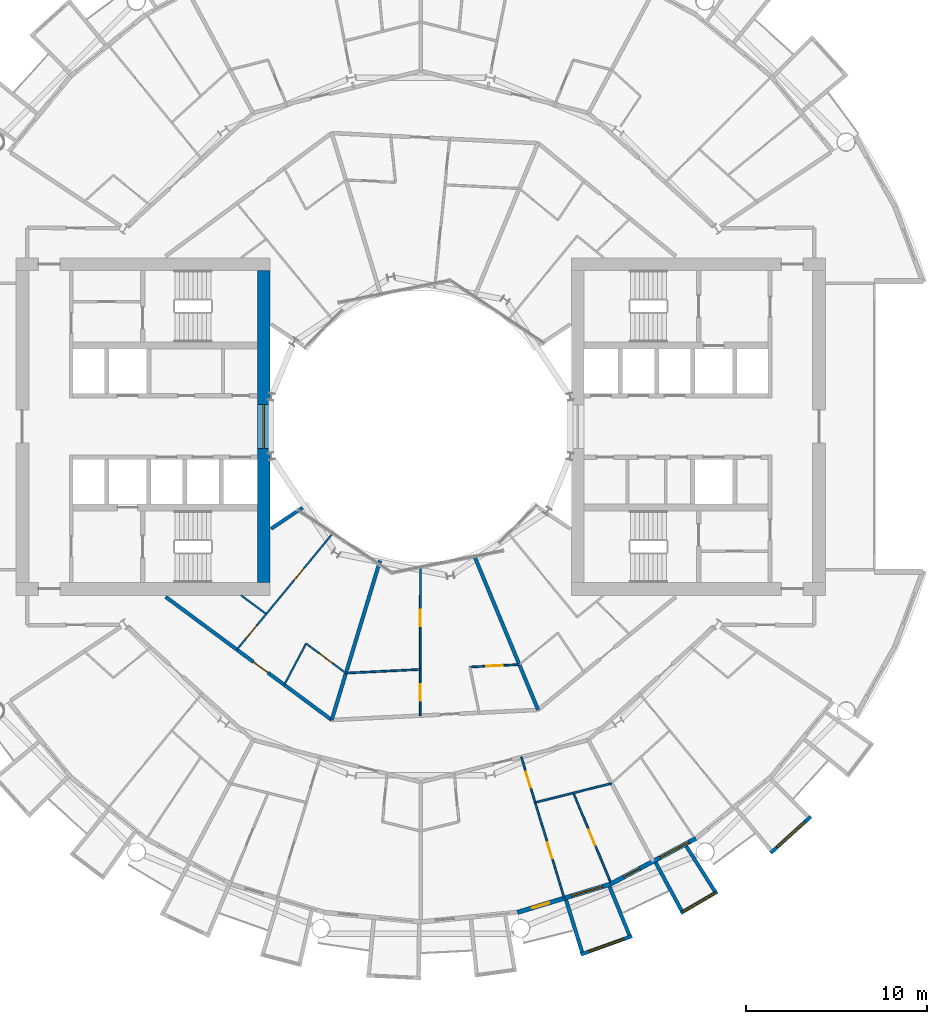
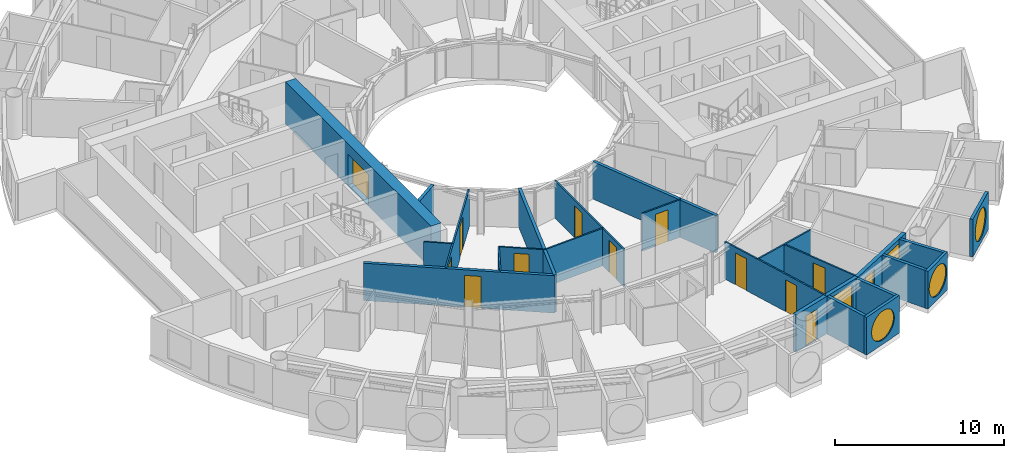
# One storey, part 15 of 26: 24 walls, 12 doors, 6 windows, 18 openings.
"""IFC4 building model written with IfcOpenShell, lengths in metres."""

from ifc_helpers import new_model, si_unit, direction, frame, frame_2d, origin, place, context, subcontext, project, spatial, rectangle, circle, extrude, material, layer, layer_set, type_object, element, fill, save


model = new_model("IFC4")

# Units and contexts
model_context = context("Model", 3, precision=1e-05, world=origin(), true_north=direction((0.0, 1.0)))
body_context = subcontext(model_context, "Body", "Model", "MODEL_VIEW")
ifc_project = project(units=[si_unit("LENGTHUNIT", "METRE"), si_unit("AREAUNIT", "SQUARE_METRE"), si_unit("VOLUMEUNIT", "CUBIC_METRE"), si_unit("PLANEANGLEUNIT", "RADIAN"), si_unit("MASSUNIT", "GRAM", prefix="KILO")], contexts=[model_context])

# Site, building, storey
site_placement = place(None, origin())
site = spatial("IfcSite", under=ifc_project, at=site_placement, CompositionType="ELEMENT")
building_placement = place(site_placement, origin())
building = spatial("IfcBuilding", under=site, at=building_placement, Name="Maasbend Ring Residences", CompositionType="ELEMENT")
storey_placement = place(building_placement, frame((0.0, 0.0, 81.89990234375)))
storey = spatial("IfcBuildingStorey", under=building, at=storey_placement, Name="L23", CompositionType="ELEMENT", Elevation=81.89990234375)

# Wall, opening, window
ifc_material_1 = material(Name="Concrete C70/85", Category="concrete")
ifc_layer_1 = layer(ifc_material_1, 0.699951171875)
ifc_layer_set_1 = layer_set([ifc_layer_1], Name="Concrete C70/85")
wall_type_1 = type_object("IfcWallType", Name="CORE WALL 700 C70/85", PredefinedType="SHEAR", material=ifc_layer_set_1)
wall_1_placement = place(storey_placement, frame((-8.64990234375, 8.60009765625, 0.0), z_axis=(0.0, 0.0, 1.0), x_axis=(0.0, -1.0, 0.0)))
wall_1 = element("IfcWall", 1, at=wall_1_placement, inside=storey, type_object=wall_type_1, Name="L23 core W wall PIN", PredefinedType="SHEAR", context=body_context, shape_type="SweptSolid", body=[
    extrude(rectangle(XDim=17.2001953125, YDim=0.699951171875, at=frame_2d((8.60009765625, 0.0))), origin(), (0.0, 0.0, 1.0), 3.050048828125),
])
opening_1_placement = place(wall_1_placement, frame((7.39990234375, 0.0, 0.10009765625)))
opening_1 = element("IfcOpeningElement", 2, at=opening_1_placement, cuts=wall_1, Name="Opening W-W2301", PredefinedType="OPENING", context=body_context, shape_type="SweptSolid", body=[
    extrude(rectangle(XDim=2.39990234375, YDim=2.199951171875, at=frame_2d((1.199951171875, 1.10009765625))), frame((0.0, 0.35986328125, 0.0), z_axis=(0.0, -1.0, 0.0), x_axis=(1.0, 0.0, 0.0)), (0.0, 0.0, 1.0), 0.719970703125),
])
ifc_material_2 = material(Name="Aluminium frame and clear glass", Category="aluminium")
window_type_1 = type_object("IfcWindowType", Name="FIXED WINDOW 2400 X 2200", PartitioningType="SINGLE_PANEL", PredefinedType="WINDOW", material=ifc_material_2)
window_1_placement = place(opening_1_placement, origin())
window_1 = element("IfcWindow", 3, at=window_1_placement, inside=storey, type_object=window_type_1, Name="Lobby window L23", OverallHeight=2.199951171875, OverallWidth=2.39990234375, PartitioningType="SINGLE_PANEL", PredefinedType="WINDOW", context=body_context, shape_type="SweptSolid", body=[
    extrude(rectangle(XDim=2.39990234375, YDim=2.199951171875, at=frame_2d((1.199951171875, 1.10009765625))), frame((0.0, 0.030029296875, 0.0), z_axis=(0.0, -1.0, 0.0), x_axis=(1.0, 0.0, 0.0)), (0.0, 0.0, 1.0), 0.06005859375),
])
fill(opening_1, window_1)

# Wall, opening, door
ifc_material_3 = material(Name="Concrete C30/37", Category="concrete")
ifc_layer_2 = layer(ifc_material_3, 0.199951171875)
ifc_layer_set_2 = layer_set([ifc_layer_2], Name="Concrete C30/37")
wall_type_2 = type_object("IfcWallType", Name="CORRIDOR WALL 200 CONCRETE", PredefinedType="PARTITIONING", material=ifc_layer_set_2)
wall_2_placement = place(storey_placement, frame((-14.052001953125, -9.388916015625, 0.0), z_axis=(0.0, 0.0, 1.0), x_axis=(0.803204584823, -0.59570327758, 0.0)))
wall_2 = element("IfcWall", 4, at=wall_2_placement, inside=storey, type_object=wall_type_2, Name="U-L23-w016", PredefinedType="PARTITIONING", context=body_context, shape_type="SweptSolid", body=[
    extrude(rectangle(XDim=11.386962890625, YDim=0.199951171875, at=frame_2d((5.693359375, 0.0))), origin(), (0.0, 0.0, 1.0), 2.7001953125),
])
opening_2_placement = place(wall_2_placement, frame((6.007080078125, 0.0, 0.0)))
opening_2 = element("IfcOpeningElement", 5, at=opening_2_placement, cuts=wall_2, Name="Opening D-2353", PredefinedType="OPENING", context=body_context, shape_type="SweptSolid", body=[
    extrude(rectangle(XDim=1.0, YDim=2.300048828125, at=frame_2d((0.5, 1.14990234375))), frame((0.0, 0.10986328125, 0.0), z_axis=(0.0, -1.0, 0.0), x_axis=(1.0, 0.0, 0.0)), (0.0, 0.0, 1.0), 0.219970703125),
])
ifc_material_4 = material(Name="Timber, fire-rated, painted", Category="wood")
door_type_1 = type_object("IfcDoorType", Name="FLAT ENTRANCE DOOR 1000 X 2300 FIRE-RATED", OperationType="NOTDEFINED", PredefinedType="DOOR", material=ifc_material_4)
door_1_placement = place(opening_2_placement, origin())
door_1 = element("IfcDoor", 6, at=door_1_placement, inside=storey, type_object=door_type_1, Name="D-2353", OperationType="SINGLE_SWING_RIGHT", OverallHeight=2.300048828125, OverallWidth=1.0, PredefinedType="DOOR", context=body_context, shape_type="SweptSolid", body=[
    extrude(rectangle(XDim=1.0, YDim=2.300048828125, at=frame_2d((0.5, 1.14990234375))), frame((0.0, 0.02490234375, 0.0), z_axis=(0.0, -1.0, 0.0), x_axis=(1.0, 0.0, 0.0)), (0.0, 0.0, 1.0), 0.050048828125),
])
fill(opening_2, door_1)

# Wall, opening, window
ifc_material_5 = material(Name="Pale anodised aluminium panel", Category="aluminium")
ifc_layer_3 = layer(ifc_material_5, 0.199951171875)
ifc_layer_set_3 = layer_set([ifc_layer_3], Name="EW-BOX")
wall_type_3 = type_object("IfcWallType", Name="EW-BOX", PredefinedType="SOLIDWALL", material=ifc_layer_set_3)
wall_3_placement = place(storey_placement, frame((8.820068359375, -29.093017578125, -0.02978515625), z_axis=(0.0, 0.0, 1.0), x_axis=(0.941461077774, 0.337121697664, 0.0)))
wall_3 = element("IfcWall", 7, at=wall_3_placement, inside=storey, type_object=wall_type_3, Name="Box front S14", PredefinedType="SOLIDWALL", context=body_context, shape_type="SweptSolid", body=[
    extrude(rectangle(XDim=2.9931640625, YDim=0.199951171875, at=frame_2d((1.49658203125, 0.0))), origin(), (0.0, 0.0, 1.0), 2.72998046875),
])
opening_3_placement = place(wall_3_placement, frame((0.45654296875, 0.0, 0.330078125)))
opening_3 = element("IfcOpeningElement", 8, at=opening_3_placement, cuts=wall_3, Name="Opening W-RD", PredefinedType="OPENING", context=body_context, shape_type="SweptSolid", body=[
    extrude(circle(Radius=1.0400390625, at=frame_2d((1.0400390625, 1.0400390625))), frame((0.0, 0.10986328125, 0.0), z_axis=(0.0, -1.0, 0.0), x_axis=(1.0, 0.0, 0.0)), (0.0, 0.0, 1.0), 0.219970703125),
])
ifc_material_6 = material(Name="Aluminium and clear glass", Category="aluminium")
window_type_2 = type_object("IfcWindowType", Name="W-RD", PartitioningType="SINGLE_PANEL", PredefinedType="WINDOW", material=ifc_material_6)
window_2_placement = place(opening_3_placement, origin())
window_2 = element("IfcWindow", 9, at=window_2_placement, inside=storey, type_object=window_type_2, Name="Round window S14", OverallHeight=2.080078125, OverallWidth=2.080078125, PartitioningType="SINGLE_PANEL", PredefinedType="WINDOW", context=body_context, shape_type="SweptSolid", body=[
    extrude(circle(Radius=1.0400390625, at=frame_2d((1.0400390625, 1.0400390625))), frame((0.0, 0.030029296875, 0.0), z_axis=(0.0, -1.0, 0.0), x_axis=(1.0, 0.0, 0.0)), (0.0, 0.0, 1.0), 0.06005859375),
])
fill(opening_3, window_2)

# Walls
wall_4_placement = place(storey_placement, frame((8.009033203125, -26.092041015625, -0.02978515625), z_axis=(0.0, 0.0, 1.0), x_axis=(0.293406695073, -0.955987715029, 0.0)))
element("IfcWall", 10, at=wall_4_placement, inside=storey, type_object=wall_type_3, Name="Box side wall S14 left", PredefinedType="SOLIDWALL", context=body_context, shape_type="SweptSolid", body=[
    extrude(rectangle(XDim=3.00634765625, YDim=0.199951171875, at=frame_2d((1.503173828125, 0.0))), origin(), (0.0, 0.0, 1.0), 2.72998046875),
])
wall_5_placement = place(storey_placement, frame((10.408935546875, -25.364013671875, -0.02978515625), z_axis=(0.0, 0.0, 1.0), x_axis=(0.379509886562, -0.925187681501, 0.0)))
element("IfcWall", 11, at=wall_5_placement, inside=storey, type_object=wall_type_3, Name="Box side wall S14 right", PredefinedType="SOLIDWALL", context=body_context, shape_type="SweptSolid", body=[
    extrude(rectangle(XDim=2.882568359375, YDim=0.199951171875, at=frame_2d((1.44140625, 0.0))), origin(), (0.0, 0.0, 1.0), 2.72998046875),
])

# Wall, opening, window
wall_6_placement = place(storey_placement, frame((14.326904296875, -26.81201171875, -0.02978515625), z_axis=(0.0, 0.0, 1.0), x_axis=(0.863346521872, 0.504611517081, 0.0)))
wall_6 = element("IfcWall", 12, at=wall_6_placement, inside=storey, type_object=wall_type_3, Name="Box front S16", PredefinedType="SOLIDWALL", context=body_context, shape_type="SweptSolid", body=[
    extrude(rectangle(XDim=2.33642578125, YDim=0.199951171875, at=frame_2d((1.168212890625, 0.0))), origin(), (0.0, 0.0, 1.0), 2.72998046875),
])
opening_4_placement = place(wall_6_placement, frame((0.128173828125, 0.0, 0.330078125)))
opening_4 = element("IfcOpeningElement", 13, at=opening_4_placement, cuts=wall_6, Name="Opening W-RD", PredefinedType="OPENING", context=body_context, shape_type="SweptSolid", body=[
    extrude(circle(Radius=1.0400390625, at=frame_2d((1.0400390625, 1.0400390625))), frame((0.0, 0.10986328125, 0.0), z_axis=(0.0, -1.0, 0.0), x_axis=(1.0, 0.0, 0.0)), (0.0, 0.0, 1.0), 0.219970703125),
])
window_3_placement = place(opening_4_placement, origin())
window_3 = element("IfcWindow", 14, at=window_3_placement, inside=storey, type_object=window_type_2, Name="Round window S16", OverallHeight=2.080078125, OverallWidth=2.080078125, PartitioningType="SINGLE_PANEL", PredefinedType="WINDOW", context=body_context, shape_type="SweptSolid", body=[
    extrude(circle(Radius=1.0400390625, at=frame_2d((1.0400390625, 1.0400390625))), frame((0.0, 0.030029296875, 0.0), z_axis=(0.0, -1.0, 0.0), x_axis=(1.0, 0.0, 0.0)), (0.0, 0.0, 1.0), 0.06005859375),
])
fill(opening_4, window_3)

# Walls
wall_7_placement = place(storey_placement, frame((12.945068359375, -24.029052734375, -0.02978515625), z_axis=(0.0, 0.0, 1.0), x_axis=(0.474424310775, -0.88029629861, 0.0)))
element("IfcWall", 15, at=wall_7_placement, inside=storey, type_object=wall_type_3, Name="Box side wall S16 left", PredefinedType="SOLIDWALL", context=body_context, shape_type="SweptSolid", body=[
    extrude(rectangle(XDim=3.005859375, YDim=0.199951171875, at=frame_2d((1.5029296875, 0.0))), origin(), (0.0, 0.0, 1.0), 2.72998046875),
])
wall_8_placement = place(storey_placement, frame((14.635009765625, -23.1259765625, -0.02978515625), z_axis=(0.0, 0.0, 1.0), x_axis=(0.534437802731, -0.845207805816, 0.0)))
element("IfcWall", 16, at=wall_8_placement, inside=storey, type_object=wall_type_3, Name="Box side wall S16 right", PredefinedType="SOLIDWALL", context=body_context, shape_type="SweptSolid", body=[
    extrude(rectangle(XDim=2.931884765625, YDim=0.199951171875, at=frame_2d((1.4658203125, 0.0))), origin(), (0.0, 0.0, 1.0), 2.72998046875),
])

# Wall, opening, window
wall_9_placement = place(storey_placement, frame((19.281982421875, -23.5029296875, -0.02978515625), z_axis=(0.0, 0.0, 1.0), x_axis=(0.740998365753, 0.671506829416, 0.0)))
wall_9 = element("IfcWall", 17, at=wall_9_placement, inside=storey, type_object=wall_type_3, Name="Box front S18", PredefinedType="SOLIDWALL", context=body_context, shape_type="SweptSolid", body=[
    extrude(rectangle(XDim=2.9931640625, YDim=0.199951171875, at=frame_2d((1.49658203125, 0.0))), origin(), (0.0, 0.0, 1.0), 2.72998046875),
])
opening_5_placement = place(wall_9_placement, frame((0.45654296875, 0.0, 0.330078125)))
opening_5 = element("IfcOpeningElement", 18, at=opening_5_placement, cuts=wall_9, Name="Opening W-RD", PredefinedType="OPENING", context=body_context, shape_type="SweptSolid", body=[
    extrude(circle(Radius=1.0400390625, at=frame_2d((1.0400390625, 1.0400390625))), frame((0.0, 0.10986328125, 0.0), z_axis=(0.0, -1.0, 0.0), x_axis=(1.0, 0.0, 0.0)), (0.0, 0.0, 1.0), 0.219970703125),
])
window_4_placement = place(opening_5_placement, origin())
window_4 = element("IfcWindow", 19, at=window_4_placement, inside=storey, type_object=window_type_2, Name="Round window S18", OverallHeight=2.080078125, OverallWidth=2.080078125, PartitioningType="SINGLE_PANEL", PredefinedType="WINDOW", context=body_context, shape_type="SweptSolid", body=[
    extrude(circle(Radius=1.0400390625, at=frame_2d((1.0400390625, 1.0400390625))), frame((0.0, 0.030029296875, 0.0), z_axis=(0.0, -1.0, 0.0), x_axis=(1.0, 0.0, 0.0)), (0.0, 0.0, 1.0), 0.06005859375),
])
fill(opening_5, window_4)

# Wall, openings, door, window
ifc_material_7 = material(Name="Aluminium clad insulated panel", Category="aluminium")
ifc_layer_4 = layer(ifc_material_7, 0.25)
ifc_layer_set_4 = layer_set([ifc_layer_4], Name="EW-GL")
wall_type_4 = type_object("IfcWallType", Name="EW-GL", PredefinedType="SOLIDWALL", material=ifc_layer_set_4)
wall_10_placement = place(storey_placement, frame((5.325927734375, -26.77490234375, 0.0), z_axis=(0.0, 0.0, 1.0), x_axis=(0.956965678721, 0.290201119486, 0.0)))
wall_10 = element("IfcWall", 20, at=wall_10_placement, inside=storey, type_object=wall_type_4, Name="External wall S07", PredefinedType="SOLIDWALL", context=body_context, shape_type="SweptSolid", body=[
    extrude(rectangle(XDim=5.351318359375, YDim=0.25, at=frame_2d((2.67578125, 0.0))), origin(), (0.0, 0.0, 1.0), 2.7001953125),
])
opening_6_placement = place(wall_10_placement, frame((0.841064453125, 0.0, 0.0)))
opening_6 = element("IfcOpeningElement", 21, at=opening_6_placement, cuts=wall_10, Name="Opening D-LG", PredefinedType="OPENING", context=body_context, shape_type="SweptSolid", body=[
    extrude(rectangle(XDim=1.0, YDim=2.199951171875, at=frame_2d((0.5, 1.10009765625))), frame((0.0, 0.135009765625, 0.0), z_axis=(0.0, -1.0, 0.0), x_axis=(1.0, 0.0, 0.0)), (0.0, 0.0, 1.0), 0.27001953125),
])
opening_7_placement = place(wall_10_placement, frame((3.110595703125, 0.0, 0.300048828125)))
opening_7 = element("IfcOpeningElement", 22, at=opening_7_placement, cuts=wall_10, Name="Opening W-BX", PredefinedType="OPENING", context=body_context, shape_type="SweptSolid", body=[
    extrude(rectangle(XDim=1.800048828125, YDim=2.10009765625, at=frame_2d((0.89990234375, 1.050048828125))), frame((0.0, 0.135009765625, 0.0), z_axis=(0.0, -1.0, 0.0), x_axis=(1.0, 0.0, 0.0)), (0.0, 0.0, 1.0), 0.27001953125),
])
ifc_material_8 = material(Name="Aluminium and clear glass", Category="aluminium")
door_type_2 = type_object("IfcDoorType", Name="D-LG", OperationType="SINGLE_SWING_LEFT", PredefinedType="DOOR", material=ifc_material_8)
door_2_placement = place(opening_6_placement, origin())
door_2 = element("IfcDoor", 23, at=door_2_placement, inside=storey, type_object=door_type_2, Name="Loggia door S13", OperationType="SINGLE_SWING_LEFT", OverallHeight=2.199951171875, OverallWidth=1.0, PredefinedType="DOOR", context=body_context, shape_type="SweptSolid", body=[
    extrude(rectangle(XDim=1.0, YDim=2.199951171875, at=frame_2d((0.5, 1.10009765625))), frame((0.0, 0.02490234375, 0.0), z_axis=(0.0, -1.0, 0.0), x_axis=(1.0, 0.0, 0.0)), (0.0, 0.0, 1.0), 0.050048828125),
])
fill(opening_6, door_2)
ifc_material_9 = material(Name="Aluminium and clear glass", Category="aluminium")
window_type_3 = type_object("IfcWindowType", Name="W-BX", PartitioningType="DOUBLE_PANEL_VERTICAL", PredefinedType="WINDOW", material=ifc_material_9)
window_5_placement = place(opening_7_placement, origin())
window_5 = element("IfcWindow", 24, at=window_5_placement, inside=storey, type_object=window_type_3, Name="Window S14 room to box", OverallHeight=2.10009765625, OverallWidth=1.800048828125, PartitioningType="SINGLE_PANEL", PredefinedType="WINDOW", context=body_context, shape_type="SweptSolid", body=[
    extrude(rectangle(XDim=1.800048828125, YDim=2.10009765625, at=frame_2d((0.89990234375, 1.050048828125))), frame((0.0, 0.030029296875, 0.0), z_axis=(0.0, -1.0, 0.0), x_axis=(1.0, 0.0, 0.0)), (0.0, 0.0, 1.0), 0.06005859375),
])
fill(opening_7, window_5)

wall_11_placement = place(storey_placement, frame((10.447021484375, -25.221923828125, 0.0), z_axis=(0.0, 0.0, 1.0), x_axis=(0.881915646801, 0.471407246368, 0.0)))
wall_11 = element("IfcWall", 25, at=wall_11_placement, inside=storey, type_object=wall_type_4, Name="External wall S08", PredefinedType="SOLIDWALL", context=body_context, shape_type="SweptSolid", body=[
    extrude(rectangle(XDim=5.35205078125, YDim=0.25, at=frame_2d((2.676025390625, 0.0))), origin(), (0.0, 0.0, 1.0), 2.7001953125),
])
opening_8_placement = place(wall_11_placement, frame((0.841064453125, 0.0, 0.0)))
opening_8 = element("IfcOpeningElement", 26, at=opening_8_placement, cuts=wall_11, Name="Opening D-LG", PredefinedType="OPENING", context=body_context, shape_type="SweptSolid", body=[
    extrude(rectangle(XDim=1.0, YDim=2.199951171875, at=frame_2d((0.5, 1.10009765625))), frame((0.0, 0.135009765625, 0.0), z_axis=(0.0, -1.0, 0.0), x_axis=(1.0, 0.0, 0.0)), (0.0, 0.0, 1.0), 0.27001953125),
])
opening_9_placement = place(wall_11_placement, frame((3.110595703125, 0.0, 0.300048828125)))
opening_9 = element("IfcOpeningElement", 27, at=opening_9_placement, cuts=wall_11, Name="Opening W-BX", PredefinedType="OPENING", context=body_context, shape_type="SweptSolid", body=[
    extrude(rectangle(XDim=1.800048828125, YDim=2.10009765625, at=frame_2d((0.89990234375, 1.050048828125))), frame((0.0, 0.135009765625, 0.0), z_axis=(0.0, -1.0, 0.0), x_axis=(1.0, 0.0, 0.0)), (0.0, 0.0, 1.0), 0.27001953125),
])
door_3_placement = place(opening_8_placement, origin())
door_3 = element("IfcDoor", 28, at=door_3_placement, inside=storey, type_object=door_type_2, Name="Loggia door S15", OperationType="SINGLE_SWING_LEFT", OverallHeight=2.199951171875, OverallWidth=1.0, PredefinedType="DOOR", context=body_context, shape_type="SweptSolid", body=[
    extrude(rectangle(XDim=1.0, YDim=2.199951171875, at=frame_2d((0.5, 1.10009765625))), frame((0.0, 0.02490234375, 0.0), z_axis=(0.0, -1.0, 0.0), x_axis=(1.0, 0.0, 0.0)), (0.0, 0.0, 1.0), 0.050048828125),
])
fill(opening_8, door_3)
window_6_placement = place(opening_9_placement, origin())
window_6 = element("IfcWindow", 29, at=window_6_placement, inside=storey, type_object=window_type_3, Name="Window S16 room to box", OverallHeight=2.10009765625, OverallWidth=1.800048828125, PartitioningType="SINGLE_PANEL", PredefinedType="WINDOW", context=body_context, shape_type="SweptSolid", body=[
    extrude(rectangle(XDim=1.800048828125, YDim=2.10009765625, at=frame_2d((0.89990234375, 1.050048828125))), frame((0.0, 0.030029296875, 0.0), z_axis=(0.0, -1.0, 0.0), x_axis=(1.0, 0.0, 0.0)), (0.0, 0.0, 1.0), 0.06005859375),
])
fill(opening_9, window_6)

# Walls
ifc_material_10 = material(Name="Gypsum board on steel studs", Category="steel")
ifc_layer_5 = layer(ifc_material_10, 0.10009765625)
ifc_layer_set_5 = layer_set([ifc_layer_5], Name="PARTITION 100 GYPSUM")
wall_type_5 = type_object("IfcWallType", Name="PARTITION 100 GYPSUM", PredefinedType="PARTITIONING", material=ifc_layer_set_5)
wall_12_placement = place(storey_placement, frame((6.302978515625, -20.720947265625, 0.0), z_axis=(0.0, 0.0, 1.0), x_axis=(0.97005315629, 0.242892721118, 0.0)))
element("IfcWall", 30, at=wall_12_placement, inside=storey, type_object=wall_type_5, Name="U-L23-w008", PredefinedType="PARTITIONING", context=body_context, shape_type="SweptSolid", body=[
    extrude(rectangle(XDim=4.34326171875, YDim=0.10009765625, at=frame_2d((2.171630859375, 0.0))), origin(), (0.0, 0.0, 1.0), 2.7001953125),
])
wall_13_placement = place(storey_placement, frame((-9.904052734375, -9.300048828125, 0.0), z_axis=(0.0, 0.0, 1.0), x_axis=(0.803135014325, -0.595797070121, 0.0)))
element("IfcWall", 31, at=wall_13_placement, inside=storey, type_object=wall_type_5, Name="U-L23-w020", PredefinedType="PARTITIONING", context=body_context, shape_type="SweptSolid", body=[
    extrude(rectangle(XDim=1.732177734375, YDim=0.10009765625, at=frame_2d((0.8662109375, 0.0))), origin(), (0.0, 0.0, 1.0), 2.7001953125),
])

# Wall, opening, door
wall_14_placement = place(storey_placement, frame((-6.319091796875, -11.9599609375, 0.0), z_axis=(0.0, 0.0, 1.0), x_axis=(0.803128348509, -0.595806055542, 0.0)))
wall_14 = element("IfcWall", 32, at=wall_14_placement, inside=storey, type_object=wall_type_5, Name="U-L23-w021", PredefinedType="PARTITIONING", context=body_context, shape_type="SweptSolid", body=[
    extrude(rectangle(XDim=2.734375, YDim=0.10009765625, at=frame_2d((1.3671875, 0.0))), origin(), (0.0, 0.0, 1.0), 2.7001953125),
])
opening_10_placement = place(wall_14_placement, frame((0.91796875, 0.0, 0.0)))
opening_10 = element("IfcOpeningElement", 33, at=opening_10_placement, cuts=wall_14, Name="Opening D-2354", PredefinedType="OPENING", context=body_context, shape_type="SweptSolid", body=[
    extrude(rectangle(XDim=0.89990234375, YDim=2.300048828125, at=frame_2d((0.449951171875, 1.14990234375))), frame((0.0, 0.06005859375, 0.0), z_axis=(0.0, -1.0, 0.0), x_axis=(1.0, 0.0, 0.0)), (0.0, 0.0, 1.0), 0.1201171875),
])
ifc_material_11 = material(Name="Timber, painted", Category="wood")
door_type_3 = type_object("IfcDoorType", Name="INTERNAL DOOR 900 X 2300", OperationType="NOTDEFINED", PredefinedType="DOOR", material=ifc_material_11)
door_4_placement = place(opening_10_placement, origin())
door_4 = element("IfcDoor", 34, at=door_4_placement, inside=storey, type_object=door_type_3, Name="D-2354", OperationType="SINGLE_SWING_RIGHT", OverallHeight=2.300048828125, OverallWidth=0.89990234375, PredefinedType="DOOR", context=body_context, shape_type="SweptSolid", body=[
    extrude(rectangle(XDim=0.89990234375, YDim=2.300048828125, at=frame_2d((0.449951171875, 1.14990234375))), frame((0.0, 0.02490234375, 0.0), z_axis=(0.0, -1.0, 0.0), x_axis=(1.0, 0.0, 0.0)), (0.0, 0.0, 1.0), 0.050048828125),
])
fill(opening_10, door_4)

# Wall
wall_15_placement = place(storey_placement, frame((-4.125, -13.587890625, 0.0), z_axis=(0.0, 0.0, 1.0), x_axis=(0.998798386358, 0.049007993321, 0.0)))
element("IfcWall", 35, at=wall_15_placement, inside=storey, type_object=wall_type_5, Name="U-L23-w022", PredefinedType="PARTITIONING", context=body_context, shape_type="SweptSolid", body=[
    extrude(rectangle(XDim=4.099853515625, YDim=0.10009765625, at=frame_2d((2.0498046875, 0.0))), origin(), (0.0, 0.0, 1.0), 2.7001953125),
])

# Wall, opening, door
wall_16_placement = place(storey_placement, frame((2.7041015625, -13.2529296875, 0.0), z_axis=(0.0, 0.0, 1.0), x_axis=(0.998796928508, 0.049037695739, 0.0)))
wall_16 = element("IfcWall", 36, at=wall_16_placement, inside=storey, type_object=wall_type_5, Name="U-L23-w023", PredefinedType="PARTITIONING", context=body_context, shape_type="SweptSolid", body=[
    extrude(rectangle(XDim=2.733154296875, YDim=0.10009765625, at=frame_2d((1.36669921875, 0.0))), origin(), (0.0, 0.0, 1.0), 2.7001953125),
])
opening_11_placement = place(wall_16_placement, frame((0.9169921875, 0.0, 0.0)))
opening_11 = element("IfcOpeningElement", 37, at=opening_11_placement, cuts=wall_16, Name="Opening D-2358", PredefinedType="OPENING", context=body_context, shape_type="SweptSolid", body=[
    extrude(rectangle(XDim=0.89990234375, YDim=2.300048828125, at=frame_2d((0.449951171875, 1.14990234375))), frame((0.0, 0.06005859375, 0.0), z_axis=(0.0, -1.0, 0.0), x_axis=(1.0, 0.0, 0.0)), (0.0, 0.0, 1.0), 0.1201171875),
])
door_5_placement = place(opening_11_placement, origin())
door_5 = element("IfcDoor", 38, at=door_5_placement, inside=storey, type_object=door_type_3, Name="D-2358", OperationType="SINGLE_SWING_RIGHT", OverallHeight=2.300048828125, OverallWidth=0.89990234375, PredefinedType="DOOR", context=body_context, shape_type="SweptSolid", body=[
    extrude(rectangle(XDim=0.89990234375, YDim=2.300048828125, at=frame_2d((0.449951171875, 1.14990234375))), frame((0.0, 0.02490234375, 0.0), z_axis=(0.0, -1.0, 0.0), x_axis=(1.0, 0.0, 0.0)), (0.0, 0.0, 1.0), 0.050048828125),
])
fill(opening_11, door_5)

# Wall, openings, doors
wall_17_placement = place(storey_placement, frame((-10.132080078125, -12.2958984375, 0.0), z_axis=(0.0, 0.0, 1.0), x_axis=(0.636105207978, 0.771602335652, 0.0)))
wall_17 = element("IfcWall", 39, at=wall_17_placement, inside=storey, type_object=wall_type_5, Name="U-L23-w039", PredefinedType="PARTITIONING", context=body_context, shape_type="SweptSolid", body=[
    extrude(rectangle(XDim=8.212646484375, YDim=0.10009765625, at=frame_2d((4.1064453125, 0.0))), origin(), (0.0, 0.0, 1.0), 2.7001953125),
])
opening_12_placement = place(wall_17_placement, frame((0.821044921875, 0.0, 0.0)))
opening_12 = element("IfcOpeningElement", 40, at=opening_12_placement, cuts=wall_17, Name="Opening D-2355", PredefinedType="OPENING", context=body_context, shape_type="SweptSolid", body=[
    extrude(rectangle(XDim=0.89990234375, YDim=2.300048828125, at=frame_2d((0.449951171875, 1.14990234375))), frame((0.0, 0.06005859375, 0.0), z_axis=(0.0, -1.0, 0.0), x_axis=(1.0, 0.0, 0.0)), (0.0, 0.0, 1.0), 0.1201171875),
])
opening_13_placement = place(wall_17_placement, frame((4.928955078125, 0.0, 0.0)))
opening_13 = element("IfcOpeningElement", 41, at=opening_13_placement, cuts=wall_17, Name="Opening D-2356", PredefinedType="OPENING", context=body_context, shape_type="SweptSolid", body=[
    extrude(rectangle(XDim=0.89990234375, YDim=2.300048828125, at=frame_2d((0.449951171875, 1.14990234375))), frame((0.0, 0.06005859375, 0.0), z_axis=(0.0, -1.0, 0.0), x_axis=(1.0, 0.0, 0.0)), (0.0, 0.0, 1.0), 0.1201171875),
])
door_6_placement = place(opening_12_placement, origin())
door_6 = element("IfcDoor", 42, at=door_6_placement, inside=storey, type_object=door_type_3, Name="D-2355", OperationType="SINGLE_SWING_LEFT", OverallHeight=2.300048828125, OverallWidth=0.89990234375, PredefinedType="DOOR", context=body_context, shape_type="SweptSolid", body=[
    extrude(rectangle(XDim=0.89990234375, YDim=2.300048828125, at=frame_2d((0.449951171875, 1.14990234375))), frame((0.0, 0.02490234375, 0.0), z_axis=(0.0, -1.0, 0.0), x_axis=(1.0, 0.0, 0.0)), (0.0, 0.0, 1.0), 0.050048828125),
])
fill(opening_12, door_6)
door_7_placement = place(opening_13_placement, origin())
door_7 = element("IfcDoor", 43, at=door_7_placement, inside=storey, type_object=door_type_3, Name="D-2356", OperationType="SINGLE_SWING_RIGHT", OverallHeight=2.300048828125, OverallWidth=0.89990234375, PredefinedType="DOOR", context=body_context, shape_type="SweptSolid", body=[
    extrude(rectangle(XDim=0.89990234375, YDim=2.300048828125, at=frame_2d((0.449951171875, 1.14990234375))), frame((0.0, 0.02490234375, 0.0), z_axis=(0.0, -1.0, 0.0), x_axis=(1.0, 0.0, 0.0)), (0.0, 0.0, 1.0), 0.050048828125),
])
fill(opening_13, door_7)

# Wall
wall_18_placement = place(storey_placement, frame((-7.51904296875, -14.23388671875, 0.0), z_axis=(0.0, 0.0, 1.0), x_axis=(0.467001992543, 0.884256263173, 0.0)))
element("IfcWall", 44, at=wall_18_placement, inside=storey, type_object=wall_type_5, Name="U-L23-w043", PredefinedType="PARTITIONING", context=body_context, shape_type="SweptSolid", body=[
    extrude(rectangle(XDim=2.571533203125, YDim=0.10009765625, at=frame_2d((1.28564453125, 0.0))), origin(), (0.0, 0.0, 1.0), 2.7001953125),
])

# Wall, openings, doors
wall_19_placement = place(storey_placement, frame((-0.031982421875, -15.93310546875, 0.0), z_axis=(0.0, 0.0, 1.0), x_axis=(0.002080789764, 0.999997835155, 0.0)))
wall_19 = element("IfcWall", 45, at=wall_19_placement, inside=storey, type_object=wall_type_5, Name="U-L23-w052", PredefinedType="PARTITIONING", context=body_context, shape_type="SweptSolid", body=[
    extrude(rectangle(XDim=8.213134765625, YDim=0.10009765625, at=frame_2d((4.1064453125, 0.0))), origin(), (0.0, 0.0, 1.0), 2.7001953125),
])
opening_14_placement = place(wall_19_placement, frame((0.822998046875, 0.0, 0.0)))
opening_14 = element("IfcOpeningElement", 46, at=opening_14_placement, cuts=wall_19, Name="Opening D-2359", PredefinedType="OPENING", context=body_context, shape_type="SweptSolid", body=[
    extrude(rectangle(XDim=0.89990234375, YDim=2.300048828125, at=frame_2d((0.449951171875, 1.14990234375))), frame((0.0, 0.06005859375, 0.0), z_axis=(0.0, -1.0, 0.0), x_axis=(1.0, 0.0, 0.0)), (0.0, 0.0, 1.0), 0.1201171875),
])
opening_15_placement = place(wall_19_placement, frame((4.929931640625, 0.0, 0.0)))
opening_15 = element("IfcOpeningElement", 47, at=opening_15_placement, cuts=wall_19, Name="Opening D-2360", PredefinedType="OPENING", context=body_context, shape_type="SweptSolid", body=[
    extrude(rectangle(XDim=0.89990234375, YDim=2.300048828125, at=frame_2d((0.449951171875, 1.14990234375))), frame((0.0, 0.06005859375, 0.0), z_axis=(0.0, -1.0, 0.0), x_axis=(1.0, 0.0, 0.0)), (0.0, 0.0, 1.0), 0.1201171875),
])
door_8_placement = place(opening_14_placement, origin())
door_8 = element("IfcDoor", 48, at=door_8_placement, inside=storey, type_object=door_type_3, Name="D-2359", OperationType="SINGLE_SWING_LEFT", OverallHeight=2.300048828125, OverallWidth=0.89990234375, PredefinedType="DOOR", context=body_context, shape_type="SweptSolid", body=[
    extrude(rectangle(XDim=0.89990234375, YDim=2.300048828125, at=frame_2d((0.449951171875, 1.14990234375))), frame((0.0, 0.02490234375, 0.0), z_axis=(0.0, -1.0, 0.0), x_axis=(1.0, 0.0, 0.0)), (0.0, 0.0, 1.0), 0.050048828125),
])
fill(opening_14, door_8)
door_9_placement = place(opening_15_placement, origin())
door_9 = element("IfcDoor", 49, at=door_9_placement, inside=storey, type_object=door_type_3, Name="D-2360", OperationType="SINGLE_SWING_RIGHT", OverallHeight=2.300048828125, OverallWidth=0.89990234375, PredefinedType="DOOR", context=body_context, shape_type="SweptSolid", body=[
    extrude(rectangle(XDim=0.89990234375, YDim=2.300048828125, at=frame_2d((0.449951171875, 1.14990234375))), frame((0.0, 0.02490234375, 0.0), z_axis=(0.0, -1.0, 0.0), x_axis=(1.0, 0.0, 0.0)), (0.0, 0.0, 1.0), 0.050048828125),
])
fill(opening_15, door_9)

wall_20_placement = place(storey_placement, frame((5.54296875, -18.2109375, 0.0), z_axis=(0.0, 0.0, 1.0), x_axis=(0.291319167605, -0.956625915698, 0.0)))
wall_20 = element("IfcWall", 50, at=wall_20_placement, inside=storey, type_object=wall_type_5, Name="U-L23-w065", PredefinedType="PARTITIONING", context=body_context, shape_type="SweptSolid", body=[
    extrude(rectangle(XDim=8.13916015625, YDim=0.10009765625, at=frame_2d((4.069580078125, 0.0))), origin(), (0.0, 0.0, 1.0), 2.7001953125),
])
opening_16_placement = place(wall_20_placement, frame((0.862060546875, 0.0, 0.0)))
opening_16 = element("IfcOpeningElement", 51, at=opening_16_placement, cuts=wall_20, Name="Opening D-2345", PredefinedType="OPENING", context=body_context, shape_type="SweptSolid", body=[
    extrude(rectangle(XDim=0.89990234375, YDim=2.300048828125, at=frame_2d((0.449951171875, 1.14990234375))), frame((0.0, 0.06005859375, 0.0), z_axis=(0.0, -1.0, 0.0), x_axis=(1.0, 0.0, 0.0)), (0.0, 0.0, 1.0), 0.1201171875),
])
opening_17_placement = place(wall_20_placement, frame((4.930908203125, 0.0, 0.0)))
opening_17 = element("IfcOpeningElement", 52, at=opening_17_placement, cuts=wall_20, Name="Opening D-2346", PredefinedType="OPENING", context=body_context, shape_type="SweptSolid", body=[
    extrude(rectangle(XDim=0.89990234375, YDim=2.300048828125, at=frame_2d((0.449951171875, 1.14990234375))), frame((0.0, 0.06005859375, 0.0), z_axis=(0.0, -1.0, 0.0), x_axis=(1.0, 0.0, 0.0)), (0.0, 0.0, 1.0), 0.1201171875),
])
door_10_placement = place(opening_16_placement, origin())
door_10 = element("IfcDoor", 53, at=door_10_placement, inside=storey, type_object=door_type_3, Name="D-2345", OperationType="SINGLE_SWING_LEFT", OverallHeight=2.300048828125, OverallWidth=0.89990234375, PredefinedType="DOOR", context=body_context, shape_type="SweptSolid", body=[
    extrude(rectangle(XDim=0.89990234375, YDim=2.300048828125, at=frame_2d((0.449951171875, 1.14990234375))), frame((0.0, 0.02490234375, 0.0), z_axis=(0.0, -1.0, 0.0), x_axis=(1.0, 0.0, 0.0)), (0.0, 0.0, 1.0), 0.050048828125),
])
fill(opening_16, door_10)
door_11_placement = place(opening_17_placement, origin())
door_11 = element("IfcDoor", 54, at=door_11_placement, inside=storey, type_object=door_type_3, Name="D-2346", OperationType="SINGLE_SWING_RIGHT", OverallHeight=2.300048828125, OverallWidth=0.89990234375, PredefinedType="DOOR", context=body_context, shape_type="SweptSolid", body=[
    extrude(rectangle(XDim=0.89990234375, YDim=2.300048828125, at=frame_2d((0.449951171875, 1.14990234375))), frame((0.0, 0.02490234375, 0.0), z_axis=(0.0, -1.0, 0.0), x_axis=(1.0, 0.0, 0.0)), (0.0, 0.0, 1.0), 0.050048828125),
])
fill(opening_17, door_11)

# Wall, opening, door
wall_21_placement = place(storey_placement, frame((8.412109375, -20.19189453125, 0.0), z_axis=(0.0, 0.0, 1.0), x_axis=(0.384464934183, -0.923139596369, 0.0)))
wall_21 = element("IfcWall", 55, at=wall_21_placement, inside=storey, type_object=wall_type_5, Name="U-L23-w069", PredefinedType="PARTITIONING", context=body_context, shape_type="SweptSolid", body=[
    extrude(rectangle(XDim=5.300537109375, YDim=0.10009765625, at=frame_2d((2.650390625, 0.0))), origin(), (0.0, 0.0, 1.0), 2.7001953125),
])
opening_18_placement = place(wall_21_placement, frame((2.199951171875, 0.0, 0.0)))
opening_18 = element("IfcOpeningElement", 56, at=opening_18_placement, cuts=wall_21, Name="Opening D-2347", PredefinedType="OPENING", context=body_context, shape_type="SweptSolid", body=[
    extrude(rectangle(XDim=0.89990234375, YDim=2.300048828125, at=frame_2d((0.449951171875, 1.14990234375))), frame((0.0, 0.06005859375, 0.0), z_axis=(0.0, -1.0, 0.0), x_axis=(1.0, 0.0, 0.0)), (0.0, 0.0, 1.0), 0.1201171875),
])
door_12_placement = place(opening_18_placement, origin())
door_12 = element("IfcDoor", 57, at=door_12_placement, inside=storey, type_object=door_type_3, Name="D-2347", OperationType="SINGLE_SWING_LEFT", OverallHeight=2.300048828125, OverallWidth=0.89990234375, PredefinedType="DOOR", context=body_context, shape_type="SweptSolid", body=[
    extrude(rectangle(XDim=0.89990234375, YDim=2.300048828125, at=frame_2d((0.449951171875, 1.14990234375))), frame((0.0, 0.02490234375, 0.0), z_axis=(0.0, -1.0, 0.0), x_axis=(1.0, 0.0, 0.0)), (0.0, 0.0, 1.0), 0.050048828125),
])
fill(opening_18, door_12)

# Walls
ifc_material_12 = material(Name="Concrete C30/37", Category="concrete")
ifc_layer_6 = layer(ifc_material_12, 0.199951171875)
ifc_layer_set_6 = layer_set([ifc_layer_6], Name="Concrete C30/37")
wall_type_6 = type_object("IfcWallType", Name="PARTY WALL 200 CONCRETE", PredefinedType="PARTITIONING", material=ifc_layer_set_6)
wall_22_placement = place(storey_placement, frame((-6.512939453125, -4.471923828125, 0.0), z_axis=(0.0, 0.0, 1.0), x_axis=(-0.831382204863, -0.555701025225, 0.0)))
element("IfcWall", 58, at=wall_22_placement, inside=storey, type_object=wall_type_6, Name="U-L23-w026", PredefinedType="PARTITIONING", context=body_context, shape_type="SweptSolid", body=[
    extrude(rectangle(XDim=2.08203125, YDim=0.199951171875, at=frame_2d((1.041015625, 0.0))), origin(), (0.0, 0.0, 1.0), 2.7001953125),
])
wall_23_placement = place(storey_placement, frame((-4.906005859375, -16.172119140625, 0.0), z_axis=(0.0, 0.0, 1.0), x_axis=(0.290420725025, 0.956899055531, 0.0)))
element("IfcWall", 59, at=wall_23_placement, inside=storey, type_object=wall_type_6, Name="U-L23-w046", PredefinedType="PARTITIONING", context=body_context, shape_type="SweptSolid", body=[
    extrude(rectangle(XDim=9.179931640625, YDim=0.199951171875, at=frame_2d((4.58984375, 0.0))), origin(), (0.0, 0.0, 1.0), 2.7001953125),
])
wall_24_placement = place(storey_placement, frame((2.9541015625, -7.132080078125, 0.0), z_axis=(0.0, 0.0, 1.0), x_axis=(0.382646942224, -0.923894646378, 0.0)))
element("IfcWall", 60, at=wall_24_placement, inside=storey, type_object=wall_type_6, Name="U-L23-w059", PredefinedType="PARTITIONING", context=body_context, shape_type="SweptSolid", body=[
    extrude(rectangle(XDim=9.1806640625, YDim=0.199951171875, at=frame_2d((4.59033203125, 0.0))), origin(), (0.0, 0.0, 1.0), 2.7001953125),
])

save(model, "model.ifc")
